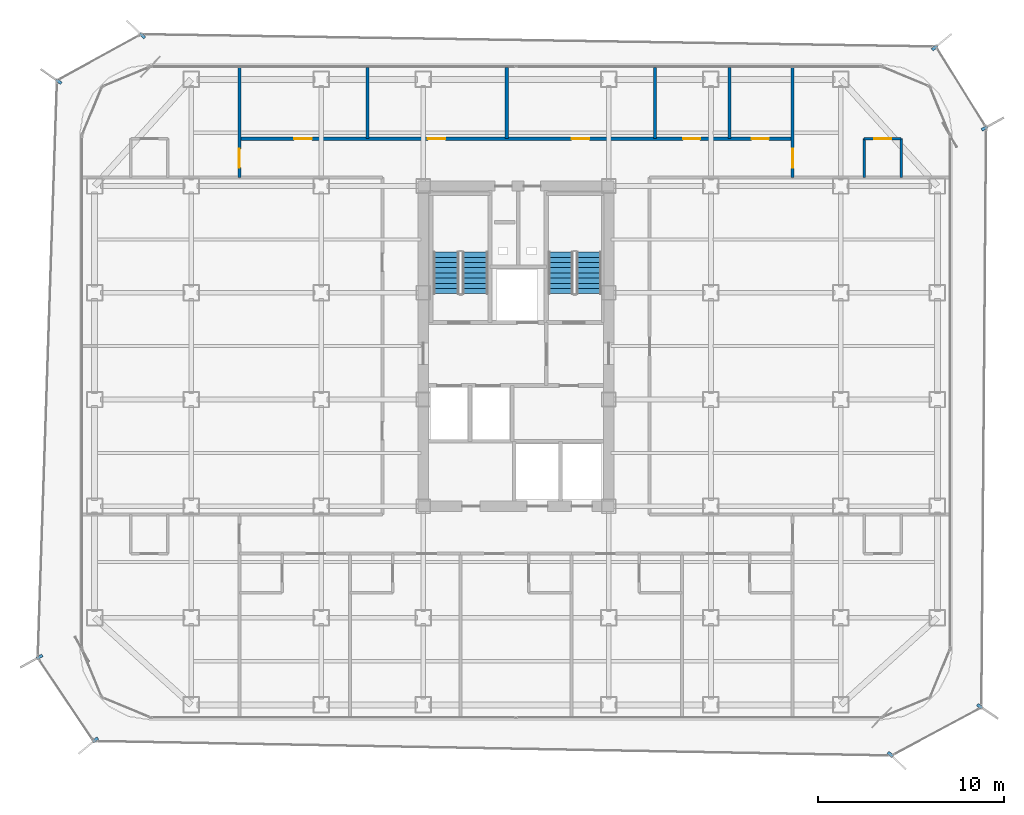
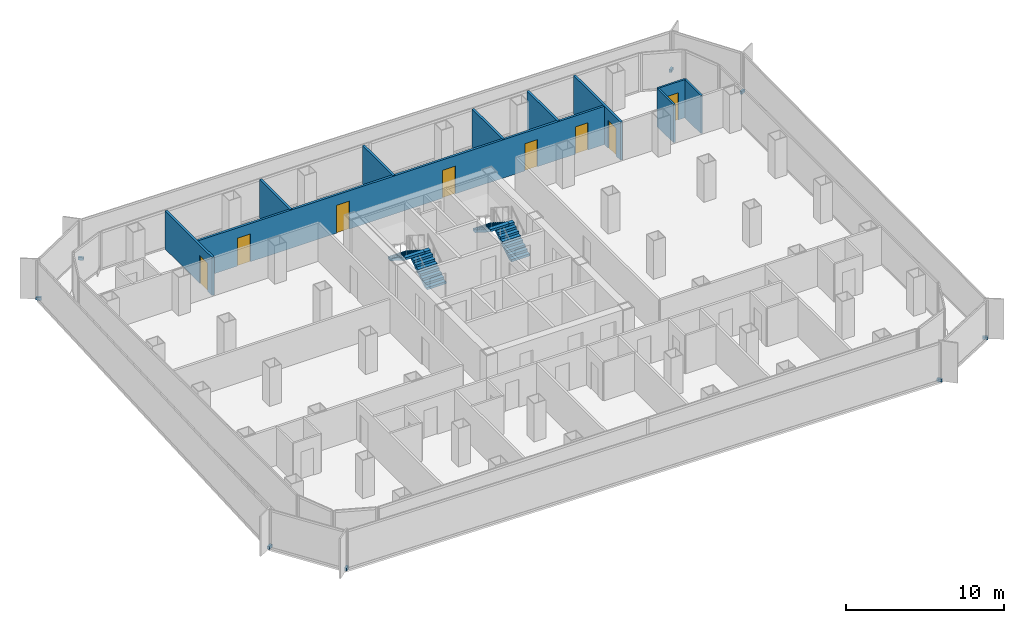
# One storey, part 18 of 21: 10 walls, 8 discrete accessories, 8 doors, 4 stair flights, 8 openings, 2 elements without a shape of their own.
"""IFC4 building model written with IfcOpenShell, lengths in metres."""

from ifc_helpers import new_model, si_unit, direction, frame, frame_2d, origin, origin_2d, place, context, subcontext, project, spatial, polyline, rectangle, outline, extrude, source, transform, mapped, material, layer, layer_set, type_object, element, fill, aggregate, save


model = new_model("IFC4")

# Units and contexts
model_context = context("Model", 3, precision=1e-05, world=origin(), true_north=direction((0.0, 1.0)))
body_context = subcontext(model_context, "Body", "Model", "MODEL_VIEW")
ifc_project = project(units=[si_unit("LENGTHUNIT", "METRE"), si_unit("AREAUNIT", "SQUARE_METRE"), si_unit("VOLUMEUNIT", "CUBIC_METRE"), si_unit("PLANEANGLEUNIT", "RADIAN"), si_unit("MASSUNIT", "GRAM", prefix="KILO")], contexts=[model_context])

# Site, building, storey
site_placement = place(None, origin())
site = spatial("IfcSite", under=ifc_project, at=site_placement, CompositionType="ELEMENT")
building_placement = place(site_placement, origin())
building = spatial("IfcBuilding", under=site, at=building_placement, Name="Kolveth Station Tower", CompositionType="ELEMENT")
storey_placement = place(building_placement, frame((0.0, 0.0, 111.89990234375)))
storey = spatial("IfcBuildingStorey", under=building, at=storey_placement, Name="L30", CompositionType="ELEMENT", Elevation=111.89990234375)

# Walls
ifc_material_1 = material(Name="Moisture-resistant gypsum partition")
ifc_layer_1 = layer(ifc_material_1, 0.135009765625)
ifc_layer_set_1 = layer_set([ifc_layer_1], Name="Moisture-resistant gypsum partition")
wall_type_1 = type_object("IfcWallType", Name="Wall_IW-135", PredefinedType="PARTITIONING", material=ifc_layer_set_1)
for number, where, z_axis, x_axis, name in (
    (1, (42.25, 29.199951171875, 0.0), (0.0, 0.0, 1.0), (0.0, 1.0, 0.0), "L30 Partition Wall WL-L30-ES2-BV1"),
    (2, (44.25, 29.199951171875, 0.0), (0.0, 0.0, 1.0), (0.0, 1.0, 0.0), "L30 Partition Wall WL-L30-ES2-BV2"),
):
    element("IfcWall", number, at=place(storey_placement, frame(where, z_axis=z_axis, x_axis=x_axis)), inside=storey, type_object=wall_type_1, Name=name, PredefinedType="PARTITIONING", context=body_context, shape_type="SweptSolid", body=[
        extrude(rectangle(XDim=2.10009765625, YDim=0.135009765625, at=frame_2d((1.050048828125, 0.0))), origin(), (0.0, 0.0, 1.0), 2.9501953125),
    ])

# Wall, opening, door
wall_1_placement = place(storey_placement, frame((42.25, 31.300048828125, 0.0), z_axis=(0.0, 0.0, 1.0), x_axis=(1.0, 0.0, 0.0)))
wall_1 = element("IfcWall", 3, at=wall_1_placement, inside=storey, type_object=wall_type_1, Name="L30 Partition Wall WL-L30-ES2-BH", PredefinedType="PARTITIONING", context=body_context, shape_type="SweptSolid", body=[
    extrude(rectangle(XDim=2.0, YDim=0.135009765625, at=frame_2d((1.0, 0.0))), origin(), (0.0, 0.0, 1.0), 2.9501953125),
])
opening_1_placement = place(wall_1_placement, frame((0.5400390625, 0.0, 0.0)))
opening_1 = element("IfcOpeningElement", 4, at=opening_1_placement, cuts=wall_1, Name="Opening ID2", PredefinedType="OPENING", context=body_context, shape_type="SweptSolid", body=[
    extrude(rectangle(XDim=0.919921875, YDim=2.10009765625, at=frame_2d((0.4599609375, 1.050048828125))), frame((0.0, 0.077392578125, 0.0), z_axis=(0.0, -1.0, 0.0), x_axis=(1.0, 0.0, 0.0)), (0.0, 0.0, 1.0), 0.155029296875),
])
ifc_material_2 = material(Name="Moisture-resistant hardwood leaf", Category="wood")
door_type_1 = type_object("IfcDoorType", Name="Door_ID2", OperationType="NOTDEFINED", PredefinedType="DOOR", material=ifc_material_2)
door_1_placement = place(opening_1_placement, frame((0.919921875, 0.0, 0.0), z_axis=(0.0, 0.0, 1.0), x_axis=(-1.0, 0.0, 0.0)))
door_1 = element("IfcDoor", 5, at=door_1_placement, inside=storey, type_object=door_type_1, Name="L30 Hotel Guest Room ES2 En-Suite Door", OperationType="SINGLE_SWING_RIGHT", OverallHeight=2.10009765625, OverallWidth=0.919921875, PredefinedType="DOOR", context=body_context, shape_type="SweptSolid", body=[
    extrude(rectangle(XDim=0.919921875, YDim=2.10009765625, at=frame_2d((0.4599609375, 1.050048828125))), frame((0.0, 0.02490234375, 0.0), z_axis=(0.0, -1.0, 0.0), x_axis=(1.0, 0.0, 0.0)), (0.0, 0.0, 1.0), 0.050048828125),
])
fill(opening_1, door_1)

# Wall, openings, doors
ifc_material_3 = material(Name="Acoustic double-stud gypsum partition")
ifc_layer_2 = layer(ifc_material_3, 0.1650390625)
ifc_layer_set_2 = layer_set([ifc_layer_2], Name="Acoustic double-stud gypsum partition")
wall_type_2 = type_object("IfcWallType", Name="Wall_IW-165", PredefinedType="PARTITIONING", material=ifc_layer_set_2)
wall_2_placement = place(storey_placement, frame((8.60009765625, 31.300048828125, 0.0), z_axis=(0.0, 0.0, 1.0), x_axis=(1.0, 0.0, 0.0)))
wall_2 = element("IfcWall", 6, at=wall_2_placement, inside=storey, type_object=wall_type_2, Name="L30 Partition Wall WL-L30-HN", PredefinedType="PARTITIONING", context=body_context, shape_type="SweptSolid", body=[
    extrude(rectangle(XDim=29.7998046875, YDim=0.1650390625, at=frame_2d((14.89990234375, 0.0))), origin(), (0.0, 0.0, 1.0), 2.9501953125),
])
opening_2_placement = place(wall_2_placement, frame((2.949951171875, 0.0, 0.0)))
opening_2 = element("IfcOpeningElement", 7, at=opening_2_placement, cuts=wall_2, Name="Opening ID1", PredefinedType="OPENING", context=body_context, shape_type="SweptSolid", body=[
    extrude(rectangle(XDim=0.949951171875, YDim=2.14990234375, at=frame_2d((0.47509765625, 1.074951171875))), frame((0.0, 0.092529296875, 0.0), z_axis=(0.0, -1.0, 0.0), x_axis=(1.0, 0.0, 0.0)), (0.0, 0.0, 1.0), 0.18505859375),
])
opening_3_placement = place(wall_2_placement, frame((10.14990234375, 0.0, 0.0)))
opening_3 = element("IfcOpeningElement", 8, at=opening_3_placement, cuts=wall_2, Name="Opening ID1", PredefinedType="OPENING", context=body_context, shape_type="SweptSolid", body=[
    extrude(rectangle(XDim=0.949951171875, YDim=2.14990234375, at=frame_2d((0.47509765625, 1.074951171875))), frame((0.0, 0.092529296875, 0.0), z_axis=(0.0, -1.0, 0.0), x_axis=(1.0, 0.0, 0.0)), (0.0, 0.0, 1.0), 0.18505859375),
])
opening_4_placement = place(wall_2_placement, frame((17.89990234375, 0.0, 0.0)))
opening_4 = element("IfcOpeningElement", 9, at=opening_4_placement, cuts=wall_2, Name="Opening ID1", PredefinedType="OPENING", context=body_context, shape_type="SweptSolid", body=[
    extrude(rectangle(XDim=0.949951171875, YDim=2.14990234375, at=frame_2d((0.47509765625, 1.074951171875))), frame((0.0, 0.092529296875, 0.0), z_axis=(0.0, -1.0, 0.0), x_axis=(1.0, 0.0, 0.0)), (0.0, 0.0, 1.0), 0.18505859375),
])
opening_5_placement = place(wall_2_placement, frame((23.89990234375, 0.0, 0.0)))
opening_5 = element("IfcOpeningElement", 10, at=opening_5_placement, cuts=wall_2, Name="Opening ID2", PredefinedType="OPENING", context=body_context, shape_type="SweptSolid", body=[
    extrude(rectangle(XDim=0.919921875, YDim=2.10009765625, at=frame_2d((0.4599609375, 1.050048828125))), frame((0.0, 0.092529296875, 0.0), z_axis=(0.0, -1.0, 0.0), x_axis=(1.0, 0.0, 0.0)), (0.0, 0.0, 1.0), 0.18505859375),
])
opening_6_placement = place(wall_2_placement, frame((27.60009765625, 0.0, 0.0)))
opening_6 = element("IfcOpeningElement", 11, at=opening_6_placement, cuts=wall_2, Name="Opening ID2", PredefinedType="OPENING", context=body_context, shape_type="SweptSolid", body=[
    extrude(rectangle(XDim=0.919921875, YDim=2.10009765625, at=frame_2d((0.4599609375, 1.050048828125))), frame((0.0, 0.092529296875, 0.0), z_axis=(0.0, -1.0, 0.0), x_axis=(1.0, 0.0, 0.0)), (0.0, 0.0, 1.0), 0.18505859375),
])
ifc_material_4 = material(Name="Acoustic hardwood leaf and aluminium frame", Category="wood")
door_type_2 = type_object("IfcDoorType", Name="Door_ID1", OperationType="NOTDEFINED", PredefinedType="DOOR", material=ifc_material_4)
door_2_placement = place(opening_2_placement, origin())
door_2 = element("IfcDoor", 12, at=door_2_placement, inside=storey, type_object=door_type_2, Name="L30 Business Study 1 Door", OperationType="SINGLE_SWING_RIGHT", OverallHeight=2.14990234375, OverallWidth=0.949951171875, PredefinedType="DOOR", context=body_context, shape_type="SweptSolid", body=[
    extrude(rectangle(XDim=0.949951171875, YDim=2.14990234375, at=frame_2d((0.47509765625, 1.074951171875))), frame((0.0, 0.02490234375, 0.0), z_axis=(0.0, -1.0, 0.0), x_axis=(1.0, 0.0, 0.0)), (0.0, 0.0, 1.0), 0.050048828125),
])
fill(opening_2, door_2)
door_3_placement = place(opening_3_placement, origin())
door_3 = element("IfcDoor", 13, at=door_3_placement, inside=storey, type_object=door_type_2, Name="L30 Business Study 2 Door", OperationType="SINGLE_SWING_LEFT", OverallHeight=2.14990234375, OverallWidth=0.949951171875, PredefinedType="DOOR", context=body_context, shape_type="SweptSolid", body=[
    extrude(rectangle(XDim=0.949951171875, YDim=2.14990234375, at=frame_2d((0.47509765625, 1.074951171875))), frame((0.0, 0.02490234375, 0.0), z_axis=(0.0, -1.0, 0.0), x_axis=(1.0, 0.0, 0.0)), (0.0, 0.0, 1.0), 0.050048828125),
])
fill(opening_3, door_3)
door_4_placement = place(opening_4_placement, origin())
door_4 = element("IfcDoor", 14, at=door_4_placement, inside=storey, type_object=door_type_2, Name="L30 Floor Service Pantry Door", OperationType="SINGLE_SWING_RIGHT", OverallHeight=2.14990234375, OverallWidth=0.949951171875, PredefinedType="DOOR", context=body_context, shape_type="SweptSolid", body=[
    extrude(rectangle(XDim=0.949951171875, YDim=2.14990234375, at=frame_2d((0.47509765625, 1.074951171875))), frame((0.0, 0.02490234375, 0.0), z_axis=(0.0, -1.0, 0.0), x_axis=(1.0, 0.0, 0.0)), (0.0, 0.0, 1.0), 0.050048828125),
])
fill(opening_4, door_4)
door_5_placement = place(opening_5_placement, origin())
door_5 = element("IfcDoor", 15, at=door_5_placement, inside=storey, type_object=door_type_1, Name="L30 Guest Toilet Door", OperationType="SINGLE_SWING_LEFT", OverallHeight=2.10009765625, OverallWidth=0.919921875, PredefinedType="DOOR", context=body_context, shape_type="SweptSolid", body=[
    extrude(rectangle(XDim=0.919921875, YDim=2.10009765625, at=frame_2d((0.4599609375, 1.050048828125))), frame((0.0, 0.02490234375, 0.0), z_axis=(0.0, -1.0, 0.0), x_axis=(1.0, 0.0, 0.0)), (0.0, 0.0, 1.0), 0.050048828125),
])
fill(opening_5, door_5)
door_6_placement = place(opening_6_placement, origin())
door_6 = element("IfcDoor", 16, at=door_6_placement, inside=storey, type_object=door_type_1, Name="L30 Accessible Guest WC Door", OperationType="SINGLE_SWING_RIGHT", OverallHeight=2.10009765625, OverallWidth=0.919921875, PredefinedType="DOOR", context=body_context, shape_type="SweptSolid", body=[
    extrude(rectangle(XDim=0.919921875, YDim=2.10009765625, at=frame_2d((0.4599609375, 1.050048828125))), frame((0.0, 0.02490234375, 0.0), z_axis=(0.0, -1.0, 0.0), x_axis=(1.0, 0.0, 0.0)), (0.0, 0.0, 1.0), 0.050048828125),
])
fill(opening_6, door_6)

# Wall, opening, door
wall_3_placement = place(storey_placement, frame((8.60009765625, 29.199951171875, 0.0), z_axis=(0.0, 0.0, 1.0), x_axis=(0.0, 1.0, 0.0)))
wall_3 = element("IfcWall", 17, at=wall_3_placement, inside=storey, type_object=wall_type_2, Name="L30 Partition Wall WL-L30-END-WN", PredefinedType="PARTITIONING", context=body_context, shape_type="SweptSolid", body=[
    extrude(rectangle(XDim=5.93994140625, YDim=0.1650390625, at=frame_2d((2.969970703125, 0.0))), origin(), (0.0, 0.0, 1.0), 2.9501953125),
])
opening_7_placement = place(wall_3_placement, frame((0.550048828125, 0.0, 0.0)))
opening_7 = element("IfcOpeningElement", 18, at=opening_7_placement, cuts=wall_3, Name="Opening FD3", PredefinedType="OPENING", context=body_context, shape_type="SweptSolid", body=[
    extrude(rectangle(XDim=1.0, YDim=2.14990234375, at=frame_2d((0.5, 1.074951171875))), frame((0.0, 0.092529296875, 0.0), z_axis=(0.0, -1.0, 0.0), x_axis=(1.0, 0.0, 0.0)), (0.0, 0.0, 1.0), 0.18505859375),
])
ifc_material_5 = material(Name="Fire-rated hardwood leaf and aluminium frame", Category="wood")
door_type_3 = type_object("IfcDoorType", Name="Door_FD3", OperationType="NOTDEFINED", PredefinedType="DOOR", material=ifc_material_5)
door_7_placement = place(opening_7_placement, origin())
door_7 = element("IfcDoor", 19, at=door_7_placement, inside=storey, type_object=door_type_3, Name="L30 Hotel Corner Suite WS2 Entrance Door", OperationType="SINGLE_SWING_LEFT", OverallHeight=2.14990234375, OverallWidth=1.0, PredefinedType="DOOR", context=body_context, shape_type="SweptSolid", body=[
    extrude(rectangle(XDim=1.0, YDim=2.14990234375, at=frame_2d((0.5, 1.074951171875))), frame((0.0, 0.02490234375, 0.0), z_axis=(0.0, -1.0, 0.0), x_axis=(1.0, 0.0, 0.0)), (0.0, 0.0, 1.0), 0.050048828125),
])
fill(opening_7, door_7)

wall_4_placement = place(storey_placement, frame((38.39990234375, 29.199951171875, 0.0), z_axis=(0.0, 0.0, 1.0), x_axis=(0.0, 1.0, 0.0)))
wall_4 = element("IfcWall", 20, at=wall_4_placement, inside=storey, type_object=wall_type_2, Name="L30 Partition Wall WL-L30-END-EN", PredefinedType="PARTITIONING", context=body_context, shape_type="SweptSolid", body=[
    extrude(rectangle(XDim=5.93994140625, YDim=0.1650390625, at=frame_2d((2.969970703125, 0.0))), origin(), (0.0, 0.0, 1.0), 2.9501953125),
])
opening_8_placement = place(wall_4_placement, frame((0.550048828125, 0.0, 0.0)))
opening_8 = element("IfcOpeningElement", 21, at=opening_8_placement, cuts=wall_4, Name="Opening FD3", PredefinedType="OPENING", context=body_context, shape_type="SweptSolid", body=[
    extrude(rectangle(XDim=1.0, YDim=2.14990234375, at=frame_2d((0.5, 1.074951171875))), frame((0.0, 0.092529296875, 0.0), z_axis=(0.0, -1.0, 0.0), x_axis=(1.0, 0.0, 0.0)), (0.0, 0.0, 1.0), 0.18505859375),
])
door_8_placement = place(opening_8_placement, frame((1.0, 0.0, 0.0), z_axis=(0.0, 0.0, 1.0), x_axis=(-1.0, 0.0, 0.0)))
door_8 = element("IfcDoor", 22, at=door_8_placement, inside=storey, type_object=door_type_3, Name="L30 Hotel Guest Room ES2 Entrance Door", OperationType="SINGLE_SWING_LEFT", OverallHeight=2.14990234375, OverallWidth=1.0, PredefinedType="DOOR", context=body_context, shape_type="SweptSolid", body=[
    extrude(rectangle(XDim=1.0, YDim=2.14990234375, at=frame_2d((0.5, 1.074951171875))), frame((0.0, 0.02490234375, 0.0), z_axis=(0.0, -1.0, 0.0), x_axis=(1.0, 0.0, 0.0)), (0.0, 0.0, 1.0), 0.050048828125),
])
fill(opening_8, door_8)

# Walls
for number, where, z_axis, x_axis, name in (
    (23, (15.5, 31.300048828125, 0.0), (0.0, 0.0, 1.0), (0.0, 1.0, 0.0), "L30 Partition Wall WL-L30-HN-P1"),
    (24, (23.0, 31.300048828125, 0.0), (0.0, 0.0, 1.0), (0.0, 1.0, 0.0), "L30 Partition Wall WL-L30-HN-P2"),
    (25, (31.0, 31.300048828125, 0.0), (0.0, 0.0, 1.0), (0.0, 1.0, 0.0), "L30 Partition Wall WL-L30-HN-P3"),
    (26, (35.0, 31.300048828125, 0.0), (0.0, 0.0, 1.0), (0.0, 1.0, 0.0), "L30 Partition Wall WL-L30-HN-P4"),
):
    element("IfcWall", number, at=place(storey_placement, frame(where, z_axis=z_axis, x_axis=x_axis)), inside=storey, type_object=wall_type_2, Name=name, PredefinedType="PARTITIONING", context=body_context, shape_type="SweptSolid", body=[
        extrude(rectangle(XDim=3.83984375, YDim=0.1650390625, at=frame_2d((1.919921875, 0.0))), origin(), (0.0, 0.0, 1.0), 2.9501953125),
    ])

# Stair, stair flights
ifc_material_6 = material(Name="Concrete C40/50", Category="concrete")
stair_type_1 = type_object("IfcStairType", Name="Stair_ST1", PredefinedType="HALF_TURN_STAIR", material=ifc_material_6)
stair_1_placement = place(storey_placement, origin())
stair_1 = element("IfcStair", 27, at=stair_1_placement, inside=storey, type_object=stair_type_1, Name="L30 Tower Exit Stair ST1", PredefinedType="HALF_TURN_STAIR")
ifc_layer_3 = layer(ifc_material_6, 0.179931640625)
ifc_layer_set_3 = layer_set([ifc_layer_3], Name="Concrete C40/50")
stair_flight_type_1 = type_object("IfcStairFlightType", Name="Flight_ST1", PredefinedType="STRAIGHT", material=ifc_layer_set_3)
stair_flight_1_placement = place(storey_placement, frame((21.300048828125, 22.949951171875, 0.0), z_axis=(0.0, 0.0, 1.0), x_axis=(0.0, 1.0, 0.0)))
stair_flight_1 = element("IfcStairFlight", 28, at=stair_flight_1_placement, type_object=stair_flight_type_1, Name="ST1 flight 1", NumberOfRisers=9, NumberOfTreads=8, PredefinedType="STRAIGHT", RiserHeight=0.177777778, TreadLength=0.28, context=body_context, shape_type="SweptSolid", body=[
    extrude(outline(polyline([(0.0, 0.0), (0.0, 0.177734375), (0.280029296875, 0.177734375), (0.280029296875, 0.35546875), (0.56005859375, 0.35546875), (0.56005859375, 0.533447265625), (0.840087890625, 0.533447265625), (0.840087890625, 0.711181640625), (1.1201171875, 0.711181640625), (1.1201171875, 0.888916015625), (1.39990234375, 0.888916015625), (1.39990234375, 1.066650390625), (1.679931640625, 1.066650390625), (1.679931640625, 1.244384765625), (1.9599609375, 1.244384765625), (1.9599609375, 1.422119140625), (2.239990234375, 1.422119140625), (2.239990234375, 1.60009765625), (2.239990234375, 1.24462890625), (0.27978515625, 0.0), (0.0, 0.0)])), frame((0.0, 0.699951171875, 0.0), z_axis=(0.0, -1.0, 0.0), x_axis=(1.0, 0.0, 0.0)), (0.0, 0.0, 1.0), 1.39990234375),
])
stair_flight_2_placement = place(storey_placement, frame((19.739990234375, 25.18994140625, 1.60009765625), z_axis=(0.0, 0.0, 1.0), x_axis=(0.0, -1.0, 0.0)))
stair_flight_2 = element("IfcStairFlight", 29, at=stair_flight_2_placement, type_object=stair_flight_type_1, Name="ST1 flight 2", NumberOfRisers=9, NumberOfTreads=8, PredefinedType="STRAIGHT", RiserHeight=0.177777778, TreadLength=0.28, context=body_context, shape_type="SweptSolid", body=[
    extrude(outline(polyline([(0.0, 0.0), (0.0, 0.177734375), (0.280029296875, 0.177734375), (0.280029296875, 0.35546875), (0.56005859375, 0.35546875), (0.56005859375, 0.533447265625), (0.840087890625, 0.533447265625), (0.840087890625, 0.711181640625), (1.1201171875, 0.711181640625), (1.1201171875, 0.888916015625), (1.39990234375, 0.888916015625), (1.39990234375, 1.066650390625), (1.679931640625, 1.066650390625), (1.679931640625, 1.244384765625), (1.9599609375, 1.244384765625), (1.9599609375, 1.422119140625), (2.239990234375, 1.422119140625), (2.239990234375, 1.60009765625), (2.239990234375, 1.24462890625), (0.27978515625, 0.0), (0.0, 0.0)])), frame((0.0, 0.699951171875, 0.0), z_axis=(0.0, -1.0, 0.0), x_axis=(1.0, 0.0, 0.0)), (0.0, 0.0, 1.0), 1.39990234375),
])
aggregate(stair_1, [stair_flight_1, stair_flight_2])

stair_type_2 = type_object("IfcStairType", Name="Stair_ST2", PredefinedType="HALF_TURN_STAIR", material=ifc_material_6)
stair_2_placement = place(storey_placement, origin())
stair_2 = element("IfcStair", 30, at=stair_2_placement, inside=storey, type_object=stair_type_2, Name="L30 Tower Exit Stair ST2", PredefinedType="HALF_TURN_STAIR")
ifc_layer_4 = layer(ifc_material_6, 0.179931640625)
ifc_layer_set_4 = layer_set([ifc_layer_4], Name="Concrete C40/50")
stair_flight_type_2 = type_object("IfcStairFlightType", Name="Flight_ST2", PredefinedType="STRAIGHT", material=ifc_layer_set_4)
stair_flight_3_placement = place(storey_placement, frame((27.425048828125, 22.949951171875, 0.0), z_axis=(0.0, 0.0, 1.0), x_axis=(0.0, 1.0, 0.0)))
stair_flight_3 = element("IfcStairFlight", 31, at=stair_flight_3_placement, type_object=stair_flight_type_2, Name="ST2 flight 1", NumberOfRisers=9, NumberOfTreads=8, PredefinedType="STRAIGHT", RiserHeight=0.177777778, TreadLength=0.28, context=body_context, shape_type="SweptSolid", body=[
    extrude(outline(polyline([(0.0, 0.0), (0.0, 0.177734375), (0.280029296875, 0.177734375), (0.280029296875, 0.35546875), (0.56005859375, 0.35546875), (0.56005859375, 0.533447265625), (0.840087890625, 0.533447265625), (0.840087890625, 0.711181640625), (1.1201171875, 0.711181640625), (1.1201171875, 0.888916015625), (1.39990234375, 0.888916015625), (1.39990234375, 1.066650390625), (1.679931640625, 1.066650390625), (1.679931640625, 1.244384765625), (1.9599609375, 1.244384765625), (1.9599609375, 1.422119140625), (2.239990234375, 1.422119140625), (2.239990234375, 1.60009765625), (2.239990234375, 1.24462890625), (0.27978515625, 0.0), (0.0, 0.0)])), frame((0.0, 0.675048828125, 0.0), z_axis=(0.0, -1.0, 0.0), x_axis=(1.0, 0.0, 0.0)), (0.0, 0.0, 1.0), 1.35009765625),
])
stair_flight_4_placement = place(storey_placement, frame((25.9150390625, 25.18994140625, 1.60009765625), z_axis=(0.0, 0.0, 1.0), x_axis=(0.0, -1.0, 0.0)))
stair_flight_4 = element("IfcStairFlight", 32, at=stair_flight_4_placement, type_object=stair_flight_type_2, Name="ST2 flight 2", NumberOfRisers=9, NumberOfTreads=8, PredefinedType="STRAIGHT", RiserHeight=0.177777778, TreadLength=0.28, context=body_context, shape_type="SweptSolid", body=[
    extrude(outline(polyline([(0.0, 0.0), (0.0, 0.177734375), (0.280029296875, 0.177734375), (0.280029296875, 0.35546875), (0.56005859375, 0.35546875), (0.56005859375, 0.533447265625), (0.840087890625, 0.533447265625), (0.840087890625, 0.711181640625), (1.1201171875, 0.711181640625), (1.1201171875, 0.888916015625), (1.39990234375, 0.888916015625), (1.39990234375, 1.066650390625), (1.679931640625, 1.066650390625), (1.679931640625, 1.244384765625), (1.9599609375, 1.244384765625), (1.9599609375, 1.422119140625), (2.239990234375, 1.422119140625), (2.239990234375, 1.60009765625), (2.239990234375, 1.24462890625), (0.27978515625, 0.0), (0.0, 0.0)])), frame((0.0, 0.675048828125, 0.0), z_axis=(0.0, -1.0, 0.0), x_axis=(1.0, 0.0, 0.0)), (0.0, 0.0, 1.0), 1.35009765625),
])
aggregate(stair_2, [stair_flight_3, stair_flight_4])

# Discrete accessories
ifc_material_7 = material(Name="Steel S355", Category="steel")
discrete_accessory_type = type_object("IfcDiscreteAccessoryType", Name="Bracket_BK1", PredefinedType="BRACKET", material=ifc_material_7)
shared_shape = source(origin(), body_context, "Body", "SweptSolid", [
    extrude(rectangle(XDim=0.35009765625, YDim=0.159912109375, at=origin_2d()), origin(), (0.0, 0.0, 1.0), 0.219970703125),
])
for number, where, z_axis, x_axis, name in (
    (33, (43.6650390625, -1.866943359375, -0.06005859375), (0.0, 0.0, 1.0), (0.718611961505, -0.69541128031, 0.0), "L30 Double-Skin Radial Tie Bracket 1"),
    (34, (48.493896484375, 0.714111328125, -0.06005859375), (0.0, 0.0, 1.0), (0.827864584251, -0.560928007986, 0.0), "L30 Double-Skin Radial Tie Bracket 2"),
    (35, (48.7451171875, 31.861083984375, -0.06005859375), (0.0, 0.0, 1.0), (0.871385115776, 0.490599612724, 0.0), "L30 Double-Skin Radial Tie Bracket 3"),
    (36, (46.053955078125, 36.197021484375, -0.06005859375), (0.0, 0.0, 1.0), (0.772401123468, 0.635135028529, 0.0), "L30 Double-Skin Radial Tie Bracket 4"),
    (37, (3.3740234375, 36.85302734375, -0.06005859375), (0.0, 0.0, 1.0), (-0.7234492966, 0.690377516471, 0.0), "L30 Double-Skin Radial Tie Bracket 5"),
    (38, (-1.139892578125, 34.382080078125, -0.06005859375), (0.0, 0.0, 1.0), (-0.827276727994, 0.56179463803, 0.0), "L30 Double-Skin Radial Tie Bracket 6"),
    (39, (-2.173095703125, 3.384033203125, -0.06005859375), (0.0, 0.0, 1.0), (-0.874111536221, -0.485725253868, 0.0), "L30 Double-Skin Radial Tie Bracket 7"),
    (40, (0.8349609375, -1.092041015625, -0.06005859375), (0.0, 0.0, 1.0), (-0.770624482513, -0.637289500111, 0.0), "L30 Double-Skin Radial Tie Bracket 8"),
):
    element("IfcDiscreteAccessory", number, at=place(storey_placement, frame(where, z_axis=z_axis, x_axis=x_axis)), inside=storey, type_object=discrete_accessory_type, Name=name, PredefinedType="BRACKET", context=body_context, shape_type="MappedRepresentation", body=[
        mapped(shared_shape, transform((0.0, 0.0, 0.0), x_axis=(1.0, 0.0, 0.0), y_axis=(0.0, 1.0, 0.0), z_axis=(0.0, 0.0, 1.0), scale=1.0)),
    ])

save(model, "model.ifc")
